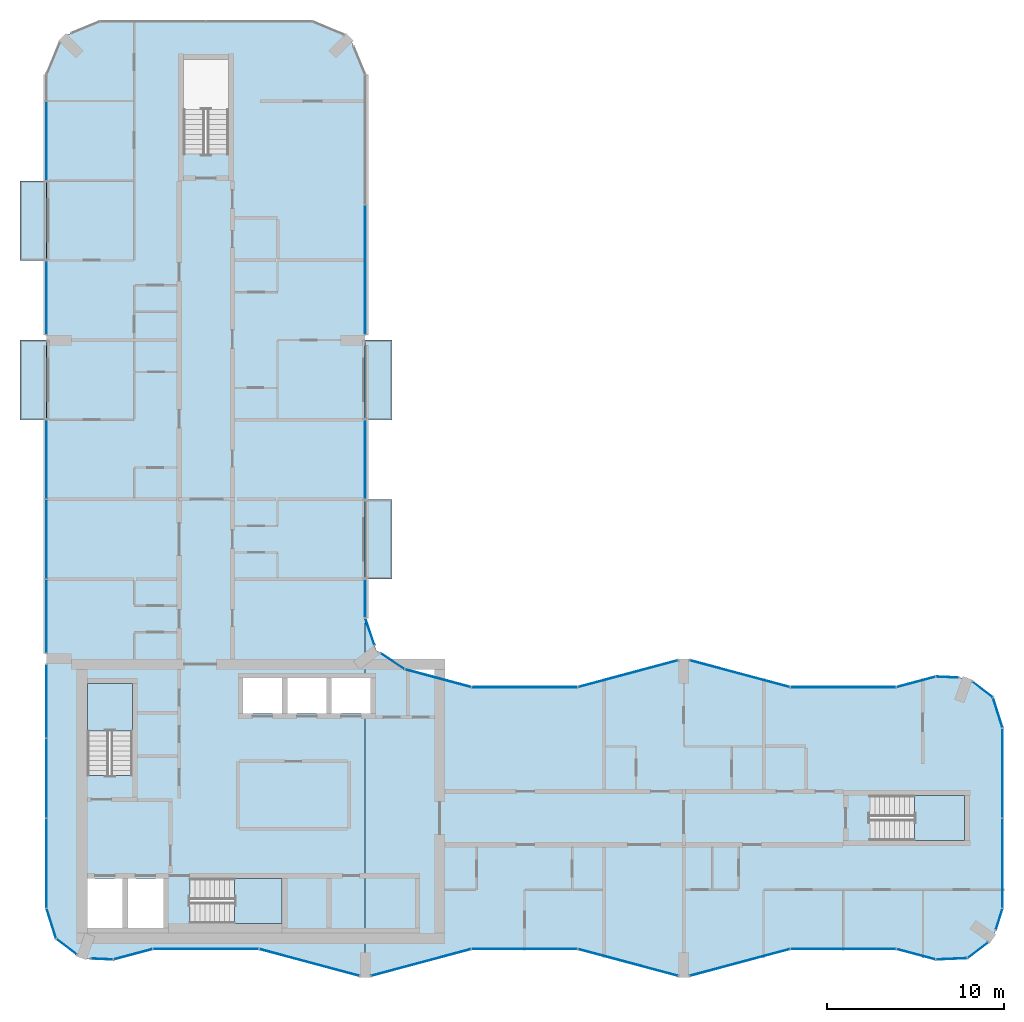
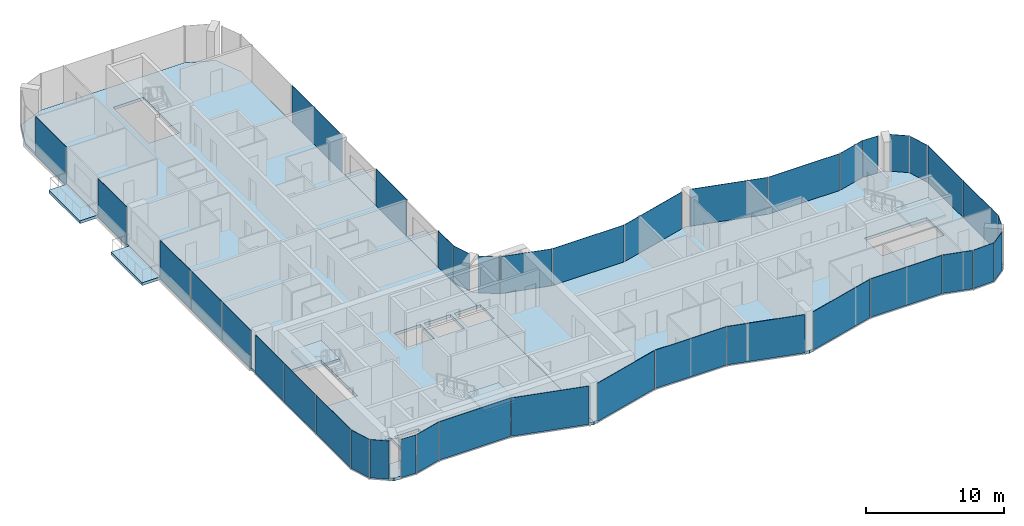
# One storey, part 8 of 15: 39 plates, 9 slabs, 37 elements without a shape of their own.
"""IFC4 building model written with IfcOpenShell, lengths in metres."""

from ifc_helpers import new_model, si_unit, direction, frame, origin, origin_2d, place, context, subcontext, project, spatial, polyline, rectangle, outline, extrude, material, layer, layer_set, type_object, element, aggregate, save


model = new_model("IFC4")

# Units and contexts
model_context = context("Model", 3, precision=1e-05, world=origin(), true_north=direction((0.0, 1.0)))
body_context = subcontext(model_context, "Body", "Model", "MODEL_VIEW")
ifc_project = project(units=[si_unit("LENGTHUNIT", "METRE"), si_unit("AREAUNIT", "SQUARE_METRE"), si_unit("VOLUMEUNIT", "CUBIC_METRE"), si_unit("PLANEANGLEUNIT", "RADIAN"), si_unit("MASSUNIT", "GRAM", prefix="KILO")], contexts=[model_context])

# Site, building, storey
site_placement = place(None, origin())
site = spatial("IfcSite", under=ifc_project, at=site_placement, CompositionType="ELEMENT")
building_placement = place(site_placement, origin())
building = spatial("IfcBuilding", under=site, at=building_placement, Name="Plateau Cross Towers", CompositionType="ELEMENT")
storey_placement = place(building_placement, frame((0.0, 0.0, 156.89990234375)))
storey = spatial("IfcBuildingStorey", under=building, at=storey_placement, Name="L40", CompositionType="ELEMENT", Elevation=156.89990234375)

# Slabs
ifc_material_1 = material(Name="Concrete C40/50", Category="concrete")
ifc_layer_1 = layer(ifc_material_1, 0.25)
ifc_layer_set_1 = layer_set([ifc_layer_1], Name="Concrete C40/50")
slab_type_1 = type_object("IfcSlabType", Name="Balcony slab 250", PredefinedType="FLOOR", material=ifc_layer_set_1)
slab_1_placement = place(storey_placement, frame((0.0, 0.0, -0.25)))
element("IfcSlab", 1, at=slab_1_placement, inside=storey, type_object=slab_type_1, Name="Balcony slab A-BAL-L40-01", PredefinedType="FLOOR", context=body_context, shape_type="SweptSolid", body=[
    extrude(outline(polyline([(0.0, 31.5), (0.0, 36.0), (-1.5, 36.0), (-1.5, 31.5), (0.0, 31.5)])), origin(), (0.0, 0.0, 1.0), 0.25),
])
slab_2_placement = place(storey_placement, frame((0.0, 0.0, -0.25)))
element("IfcSlab", 2, at=slab_2_placement, inside=storey, type_object=slab_type_1, Name="Balcony slab A-BAL-L40-02", PredefinedType="FLOOR", context=body_context, shape_type="SweptSolid", body=[
    extrude(outline(polyline([(0.0, 40.5), (0.0, 45.0), (-1.5, 45.0), (-1.5, 40.5), (0.0, 40.5)])), origin(), (0.0, 0.0, 1.0), 0.25),
])
slab_3_placement = place(storey_placement, frame((0.0, 0.0, -0.25)))
element("IfcSlab", 3, at=slab_3_placement, inside=storey, type_object=slab_type_1, Name="Balcony slab A-BAL-L40-03", PredefinedType="FLOOR", context=body_context, shape_type="SweptSolid", body=[
    extrude(outline(polyline([(19.5, 22.5), (19.5, 27.0), (18.0, 27.0), (18.0, 22.5), (19.5, 22.5)])), origin(), (0.0, 0.0, 1.0), 0.25),
])
slab_4_placement = place(storey_placement, frame((0.0, 0.0, -0.25)))
element("IfcSlab", 4, at=slab_4_placement, inside=storey, type_object=slab_type_1, Name="Balcony slab A-BAL-L40-04", PredefinedType="FLOOR", context=body_context, shape_type="SweptSolid", body=[
    extrude(outline(polyline([(19.5, 31.5), (19.5, 36.0), (18.0, 36.0), (18.0, 31.5), (19.5, 31.5)])), origin(), (0.0, 0.0, 1.0), 0.25),
])

# Curtain wall, plate
ifc_material_2 = material(Name="Dark low-iron glass", Category="glass")
ifc_layer_2 = layer(ifc_material_2, 0.239990234375)
ifc_layer_set_2 = layer_set([ifc_layer_2], Name="Dark low-iron glass")
curtain_wall_type_1 = type_object("IfcCurtainWallType", Name="Curtain wall flush unitised CW-B", PredefinedType="NOTDEFINED", material=ifc_layer_set_2)
curtain_wall_1_placement = place(storey_placement, origin())
curtain_wall_1 = element("IfcCurtainWall", 5, at=curtain_wall_1_placement, inside=storey, type_object=curtain_wall_type_1, Name="ENV/A/L40/A502_10", PredefinedType="NOTDEFINED")
ifc_layer_3 = layer(ifc_material_2, 0.031982421875)
ifc_layer_set_3 = layer_set([ifc_layer_3], Name="Dark low-iron glass")
plate_type_1 = type_object("IfcPlateType", Name="Glass panel 32 flush unitised", PredefinedType="CURTAIN_PANEL", material=ifc_layer_set_3)
plate_1_placement = place(storey_placement, frame((51.125, 1.05078125, -0.1298828125), z_axis=(0.0, 0.0, 1.0), x_axis=(0.999043701491, 0.043722791671, 0.0)))
plate_1 = element("IfcPlate", 6, at=plate_1_placement, type_object=plate_type_1, Name="CW-B panel 1", PredefinedType="CURTAIN_PANEL", context=body_context, shape_type="SweptSolid", body=[
    extrude(rectangle(XDim=1.744140625, YDim=0.031982421875, at=origin_2d()), origin(), (0.0, 0.0, 1.0), 3.3798828125),
])
aggregate(curtain_wall_1, [plate_1])

curtain_wall_2_placement = place(storey_placement, origin())
curtain_wall_2 = element("IfcCurtainWall", 7, at=curtain_wall_2_placement, inside=storey, type_object=curtain_wall_type_1, Name="ENV/A/L40/A520_11", PredefinedType="NOTDEFINED")
plate_2_placement = place(storey_placement, frame((52.60986328125, 1.5380859375, -0.1298828125), z_axis=(0.0, 0.0, 1.0), x_axis=(0.793315514529, 0.608810721331, 0.0)))
plate_2 = element("IfcPlate", 8, at=plate_2_placement, type_object=plate_type_1, Name="CW-B panel 1", PredefinedType="CURTAIN_PANEL", context=body_context, shape_type="SweptSolid", body=[
    extrude(rectangle(XDim=1.41162109375, YDim=0.031982421875, at=origin_2d()), origin(), (0.0, 0.0, 1.0), 3.3798828125),
])
aggregate(curtain_wall_2, [plate_2])

curtain_wall_3_placement = place(storey_placement, origin())
curtain_wall_3 = element("IfcCurtainWall", 9, at=curtain_wall_3_placement, inside=storey, type_object=curtain_wall_type_1, Name="ENV/A/L40/A536_27", PredefinedType="NOTDEFINED")
plate_3_placement = place(storey_placement, frame((53.805419921875, 3.292236328125, -0.1298828125), z_axis=(0.0, 0.0, 1.0), x_axis=(0.300686174994, 0.95372313811, 0.0)))
plate_3 = element("IfcPlate", 10, at=plate_3_placement, type_object=plate_type_1, Name="CW-B panel 1", PredefinedType="CURTAIN_PANEL", context=body_context, shape_type="SweptSolid", body=[
    extrude(rectangle(XDim=1.233642578125, YDim=0.031982421875, at=origin_2d()), origin(), (0.0, 0.0, 1.0), 3.3798828125),
])
aggregate(curtain_wall_3, [plate_3])

# Curtain wall, plates
curtain_wall_4_placement = place(storey_placement, origin())
curtain_wall_4 = element("IfcCurtainWall", 11, at=curtain_wall_4_placement, inside=storey, type_object=curtain_wall_type_1, Name="ENV/A/L40/A540_39", PredefinedType="NOTDEFINED")
plate_4_placement = place(storey_placement, frame((54.0, 6.45458984375, -0.1298828125), z_axis=(0.0, 0.0, 1.0), x_axis=(0.0, 1.0, 0.0)))
plate_4 = element("IfcPlate", 12, at=plate_4_placement, type_object=plate_type_1, Name="CW-B panel 1", PredefinedType="CURTAIN_PANEL", context=body_context, shape_type="SweptSolid", body=[
    extrude(rectangle(XDim=5.03076171875, YDim=0.031982421875, at=origin_2d()), origin(), (0.0, 0.0, 1.0), 3.3798828125),
])
plate_5_placement = place(storey_placement, frame((54.0, 11.54541015625, -0.1298828125), z_axis=(0.0, 0.0, 1.0), x_axis=(0.0, 1.0, 0.0)))
plate_5 = element("IfcPlate", 13, at=plate_5_placement, type_object=plate_type_1, Name="CW-B panel 2", PredefinedType="CURTAIN_PANEL", context=body_context, shape_type="SweptSolid", body=[
    extrude(rectangle(XDim=5.03076171875, YDim=0.031982421875, at=origin_2d()), origin(), (0.0, 0.0, 1.0), 3.3798828125),
])
aggregate(curtain_wall_4, [plate_4, plate_5])

# Curtain wall, plate
curtain_wall_5_placement = place(storey_placement, origin())
curtain_wall_5 = element("IfcCurtainWall", 14, at=curtain_wall_5_placement, inside=storey, type_object=curtain_wall_type_1, Name="ENV/A/L40/A540_141", PredefinedType="NOTDEFINED")
plate_6_placement = place(storey_placement, frame((53.728759765625, 14.951171875, -0.1298828125), z_axis=(0.0, 0.0, 1.0), x_axis=(-0.300686174994, 0.95372313811, 0.0)))
plate_6 = element("IfcPlate", 15, at=plate_6_placement, type_object=plate_type_1, Name="CW-B panel 1", PredefinedType="CURTAIN_PANEL", context=body_context, shape_type="SweptSolid", body=[
    extrude(rectangle(XDim=1.744140625, YDim=0.031982421875, at=origin_2d()), origin(), (0.0, 0.0, 1.0), 3.3798828125),
])
aggregate(curtain_wall_5, [plate_6])

curtain_wall_6_placement = place(storey_placement, origin())
curtain_wall_6 = element("IfcCurtainWall", 16, at=curtain_wall_6_placement, inside=storey, type_object=curtain_wall_type_1, Name="ENV/A/L40/A535_158", PredefinedType="NOTDEFINED")
plate_7_placement = place(storey_placement, frame((52.873779296875, 16.25927734375, -0.1298828125), z_axis=(0.0, 0.0, 1.0), x_axis=(-0.793315514529, 0.608810721331, 0.0)))
plate_7 = element("IfcPlate", 17, at=plate_7_placement, type_object=plate_type_1, Name="CW-B panel 1", PredefinedType="CURTAIN_PANEL", context=body_context, shape_type="SweptSolid", body=[
    extrude(rectangle(XDim=1.41162109375, YDim=0.031982421875, at=origin_2d()), origin(), (0.0, 0.0, 1.0), 3.3798828125),
])
aggregate(curtain_wall_6, [plate_7])

curtain_wall_7_placement = place(storey_placement, origin())
curtain_wall_7 = element("IfcCurtainWall", 18, at=curtain_wall_7_placement, inside=storey, type_object=curtain_wall_type_1, Name="ENV/A/L40/A515_169", PredefinedType="NOTDEFINED")
plate_8_placement = place(storey_placement, frame((50.8701171875, 16.96044921875, -0.1298828125), z_axis=(0.0, 0.0, 1.0), x_axis=(-0.999043701491, 0.043722791671, 0.0)))
plate_8 = element("IfcPlate", 19, at=plate_8_placement, type_object=plate_type_1, Name="CW-B panel 1", PredefinedType="CURTAIN_PANEL", context=body_context, shape_type="SweptSolid", body=[
    extrude(rectangle(XDim=1.233642578125, YDim=0.031982421875, at=origin_2d()), origin(), (0.0, 0.0, 1.0), 3.3798828125),
])
aggregate(curtain_wall_7, [plate_8])

curtain_wall_8_placement = place(storey_placement, origin())
curtain_wall_8 = element("IfcCurtainWall", 20, at=curtain_wall_8_placement, inside=storey, type_object=curtain_wall_type_1, Name="ENV/A/L40/A202_174", PredefinedType="NOTDEFINED")
plate_9_placement = place(storey_placement, frame((19.546630859375, 17.856689453125, -0.1298828125), z_axis=(0.0, 0.0, 1.0), x_axis=(-0.831521253329, 0.555492938984, 0.0)))
plate_9 = element("IfcPlate", 21, at=plate_9_placement, type_object=plate_type_1, Name="CW-B panel 1", PredefinedType="CURTAIN_PANEL", context=body_context, shape_type="SweptSolid", body=[
    extrude(rectangle(XDim=1.56884765625, YDim=0.031982421875, at=origin_2d()), origin(), (0.0, 0.0, 1.0), 3.3798828125),
])
aggregate(curtain_wall_8, [plate_9])

curtain_wall_9_placement = place(storey_placement, origin())
curtain_wall_9 = element("IfcCurtainWall", 22, at=curtain_wall_9_placement, inside=storey, type_object=curtain_wall_type_1, Name="ENV/A/L40/A185_188", PredefinedType="NOTDEFINED")
plate_10_placement = place(storey_placement, frame((18.26171875, 19.531005859375, -0.1298828125), z_axis=(0.0, 0.0, 1.0), x_axis=(-0.321469161574, 0.94692004845, 0.0)))
plate_10 = element("IfcPlate", 23, at=plate_10_placement, type_object=plate_type_1, Name="CW-B panel 1", PredefinedType="CURTAIN_PANEL", context=body_context, shape_type="SweptSolid", body=[
    extrude(rectangle(XDim=1.56884765625, YDim=0.031982421875, at=origin_2d()), origin(), (0.0, 0.0, 1.0), 3.3798828125),
])
aggregate(curtain_wall_9, [plate_10])

curtain_wall_10_placement = place(storey_placement, origin())
curtain_wall_10 = element("IfcCurtainWall", 24, at=curtain_wall_10_placement, inside=storey, type_object=curtain_wall_type_1, Name="ENV/A/L40/A180_203", PredefinedType="NOTDEFINED")
plate_11_placement = place(storey_placement, frame((18.0, 21.396240234375, -0.1298828125), z_axis=(0.0, 0.0, 1.0), x_axis=(0.0, 1.0, 0.0)))
plate_11 = element("IfcPlate", 25, at=plate_11_placement, type_object=plate_type_1, Name="CW-B panel 1", PredefinedType="CURTAIN_PANEL", context=body_context, shape_type="SweptSolid", body=[
    extrude(rectangle(XDim=2.127685546875, YDim=0.031982421875, at=origin_2d()), origin(), (0.0, 0.0, 1.0), 3.3798828125),
])
aggregate(curtain_wall_10, [plate_11])

curtain_wall_11_placement = place(storey_placement, origin())
curtain_wall_11 = element("IfcCurtainWall", 26, at=curtain_wall_11_placement, inside=storey, type_object=curtain_wall_type_1, Name="ENV/A/L40/A180_270", PredefinedType="NOTDEFINED")
plate_12_placement = place(storey_placement, frame((18.0, 29.25, -0.1298828125), z_axis=(0.0, 0.0, 1.0), x_axis=(0.0, 1.0, 0.0)))
plate_12 = element("IfcPlate", 27, at=plate_12_placement, type_object=plate_type_1, Name="CW-B panel 1", PredefinedType="CURTAIN_PANEL", context=body_context, shape_type="SweptSolid", body=[
    extrude(rectangle(XDim=4.419921875, YDim=0.031982421875, at=origin_2d()), origin(), (0.0, 0.0, 1.0), 3.3798828125),
])
aggregate(curtain_wall_11, [plate_12])

curtain_wall_12_placement = place(storey_placement, origin())
curtain_wall_12 = element("IfcCurtainWall", 28, at=curtain_wall_12_placement, inside=storey, type_object=curtain_wall_type_1, Name="ENV/A/L40/A180_363", PredefinedType="NOTDEFINED")
plate_13_placement = place(storey_placement, frame((18.0, 39.97509765625, -0.1298828125), z_axis=(0.0, 0.0, 1.0), x_axis=(0.0, 1.0, 0.0)))
plate_13 = element("IfcPlate", 29, at=plate_13_placement, type_object=plate_type_1, Name="CW-B panel 1", PredefinedType="CURTAIN_PANEL", context=body_context, shape_type="SweptSolid", body=[
    extrude(rectangle(XDim=7.2900390625, YDim=0.031982421875, at=origin_2d()), origin(), (0.0, 0.0, 1.0), 3.3798828125),
])
aggregate(curtain_wall_12, [plate_13])

curtain_wall_13_placement = place(storey_placement, origin())
curtain_wall_13 = element("IfcCurtainWall", 30, at=curtain_wall_13_placement, inside=storey, type_object=curtain_wall_type_1, Name="ENV/A/L40/A0_510", PredefinedType="NOTDEFINED")
plate_14_placement = place(storey_placement, frame((0.0, 47.2548828125, -0.1298828125), z_axis=(0.0, 0.0, 1.0), x_axis=(0.0, -1.0, 0.0)))
plate_14 = element("IfcPlate", 31, at=plate_14_placement, type_object=plate_type_1, Name="CW-B panel 2", PredefinedType="CURTAIN_PANEL", context=body_context, shape_type="SweptSolid", body=[
    extrude(rectangle(XDim=4.429931640625, YDim=0.031982421875, at=origin_2d()), origin(), (0.0, 0.0, 1.0), 3.3798828125),
])
aggregate(curtain_wall_13, [plate_14])

curtain_wall_14_placement = place(storey_placement, origin())
curtain_wall_14 = element("IfcCurtainWall", 32, at=curtain_wall_14_placement, inside=storey, type_object=curtain_wall_type_1, Name="ENV/A/L40/A0_405", PredefinedType="NOTDEFINED")
plate_15_placement = place(storey_placement, frame((0.0, 38.39501953125, -0.1298828125), z_axis=(0.0, 0.0, 1.0), x_axis=(0.0, -1.0, 0.0)))
plate_15 = element("IfcPlate", 33, at=plate_15_placement, type_object=plate_type_1, Name="CW-B panel 1", PredefinedType="CURTAIN_PANEL", context=body_context, shape_type="SweptSolid", body=[
    extrude(rectangle(XDim=4.1298828125, YDim=0.031982421875, at=origin_2d()), origin(), (0.0, 0.0, 1.0), 3.3798828125),
])
aggregate(curtain_wall_14, [plate_15])

# Curtain wall, plates
curtain_wall_15_placement = place(storey_placement, origin())
curtain_wall_15 = element("IfcCurtainWall", 34, at=curtain_wall_15_placement, inside=storey, type_object=curtain_wall_type_1, Name="ENV/A/L40/A0_315", PredefinedType="NOTDEFINED")
plate_16_placement = place(storey_placement, frame((0.0, 29.2451171875, -0.1298828125), z_axis=(0.0, 0.0, 1.0), x_axis=(0.0, -1.0, 0.0)))
plate_16 = element("IfcPlate", 35, at=plate_16_placement, type_object=plate_type_1, Name="CW-B panel 1", PredefinedType="CURTAIN_PANEL", context=body_context, shape_type="SweptSolid", body=[
    extrude(rectangle(XDim=4.429931640625, YDim=0.031982421875, at=origin_2d()), origin(), (0.0, 0.0, 1.0), 3.3798828125),
])
plate_17_placement = place(storey_placement, frame((0.0, 24.75, -0.1298828125), z_axis=(0.0, 0.0, 1.0), x_axis=(0.0, -1.0, 0.0)))
plate_17 = element("IfcPlate", 36, at=plate_17_placement, type_object=plate_type_1, Name="CW-B panel 2", PredefinedType="CURTAIN_PANEL", context=body_context, shape_type="SweptSolid", body=[
    extrude(rectangle(XDim=4.43994140625, YDim=0.031982421875, at=origin_2d()), origin(), (0.0, 0.0, 1.0), 3.3798828125),
])
plate_18_placement = place(storey_placement, frame((0.0, 20.39990234375, -0.1298828125), z_axis=(0.0, 0.0, 1.0), x_axis=(0.0, -1.0, 0.0)))
plate_18 = element("IfcPlate", 37, at=plate_18_placement, type_object=plate_type_1, Name="CW-B panel 3", PredefinedType="CURTAIN_PANEL", context=body_context, shape_type="SweptSolid", body=[
    extrude(rectangle(XDim=4.139892578125, YDim=0.031982421875, at=origin_2d()), origin(), (0.0, 0.0, 1.0), 3.3798828125),
])
aggregate(curtain_wall_15, [plate_16, plate_17, plate_18])

curtain_wall_16_placement = place(storey_placement, origin())
curtain_wall_16 = element("IfcCurtainWall", 38, at=curtain_wall_16_placement, inside=storey, type_object=curtain_wall_type_1, Name="ENV/A/L40/A0_177", PredefinedType="NOTDEFINED")
plate_19_placement = place(storey_placement, frame((0.0, 15.60009765625, -0.1298828125), z_axis=(0.0, 0.0, 1.0), x_axis=(0.0, -1.0, 0.0)))
plate_19 = element("IfcPlate", 39, at=plate_19_placement, type_object=plate_type_1, Name="CW-B panel 1", PredefinedType="CURTAIN_PANEL", context=body_context, shape_type="SweptSolid", body=[
    extrude(rectangle(XDim=4.139892578125, YDim=0.031982421875, at=origin_2d()), origin(), (0.0, 0.0, 1.0), 3.3798828125),
])
plate_20_placement = place(storey_placement, frame((0.0, 11.25, -0.1298828125), z_axis=(0.0, 0.0, 1.0), x_axis=(0.0, -1.0, 0.0)))
plate_20 = element("IfcPlate", 40, at=plate_20_placement, type_object=plate_type_1, Name="CW-B panel 2", PredefinedType="CURTAIN_PANEL", context=body_context, shape_type="SweptSolid", body=[
    extrude(rectangle(XDim=4.43994140625, YDim=0.031982421875, at=origin_2d()), origin(), (0.0, 0.0, 1.0), 3.3798828125),
])
plate_21_placement = place(storey_placement, frame((0.0, 6.45458984375, -0.1298828125), z_axis=(0.0, 0.0, 1.0), x_axis=(0.0, -1.0, 0.0)))
plate_21 = element("IfcPlate", 41, at=plate_21_placement, type_object=plate_type_1, Name="CW-B panel 3", PredefinedType="CURTAIN_PANEL", context=body_context, shape_type="SweptSolid", body=[
    extrude(rectangle(XDim=5.03076171875, YDim=0.031982421875, at=origin_2d()), origin(), (0.0, 0.0, 1.0), 3.3798828125),
])
aggregate(curtain_wall_16, [plate_19, plate_20, plate_21])

# Curtain wall, plate
curtain_wall_17_placement = place(storey_placement, origin())
curtain_wall_17 = element("IfcCurtainWall", 42, at=curtain_wall_17_placement, inside=storey, type_object=curtain_wall_type_1, Name="ENV/A/L40/A0_39", PredefinedType="NOTDEFINED")
plate_22_placement = place(storey_placement, frame((0.271240234375, 3.048828125, -0.1298828125), z_axis=(0.0, 0.0, 1.0), x_axis=(0.300686174994, -0.95372313811, 0.0)))
plate_22 = element("IfcPlate", 43, at=plate_22_placement, type_object=plate_type_1, Name="CW-B panel 1", PredefinedType="CURTAIN_PANEL", context=body_context, shape_type="SweptSolid", body=[
    extrude(rectangle(XDim=1.744140625, YDim=0.031982421875, at=origin_2d()), origin(), (0.0, 0.0, 1.0), 3.3798828125),
])
aggregate(curtain_wall_17, [plate_22])

curtain_wall_18_placement = place(storey_placement, origin())
curtain_wall_18 = element("IfcCurtainWall", 44, at=curtain_wall_18_placement, inside=storey, type_object=curtain_wall_type_1, Name="ENV/A/L40/A5_22", PredefinedType="NOTDEFINED")
plate_23_placement = place(storey_placement, frame((1.126220703125, 1.74072265625, -0.1298828125), z_axis=(0.0, 0.0, 1.0), x_axis=(0.793315514529, -0.608810721331, 0.0)))
plate_23 = element("IfcPlate", 45, at=plate_23_placement, type_object=plate_type_1, Name="CW-B panel 1", PredefinedType="CURTAIN_PANEL", context=body_context, shape_type="SweptSolid", body=[
    extrude(rectangle(XDim=1.41162109375, YDim=0.031982421875, at=origin_2d()), origin(), (0.0, 0.0, 1.0), 3.3798828125),
])
aggregate(curtain_wall_18, [plate_23])

curtain_wall_19_placement = place(storey_placement, origin())
curtain_wall_19 = element("IfcCurtainWall", 46, at=curtain_wall_19_placement, inside=storey, type_object=curtain_wall_type_1, Name="ENV/A/L40/A25_11", PredefinedType="NOTDEFINED")
plate_24_placement = place(storey_placement, frame((3.1298828125, 1.03955078125, -0.1298828125), z_axis=(0.0, 0.0, 1.0), x_axis=(0.999043701491, -0.043722791671, 0.0)))
plate_24 = element("IfcPlate", 47, at=plate_24_placement, type_object=plate_type_1, Name="CW-B panel 1", PredefinedType="CURTAIN_PANEL", context=body_context, shape_type="SweptSolid", body=[
    extrude(rectangle(XDim=1.233642578125, YDim=0.031982421875, at=origin_2d()), origin(), (0.0, 0.0, 1.0), 3.3798828125),
])
aggregate(curtain_wall_19, [plate_24])

ifc_layer_4 = layer(ifc_material_2, 0.260009765625)
ifc_layer_set_4 = layer_set([ifc_layer_4], Name="Dark low-iron glass")
curtain_wall_type_2 = type_object("IfcCurtainWallType", Name="Curtain wall fluted unitised CW-A", PredefinedType="NOTDEFINED", material=ifc_layer_set_4)
curtain_wall_20_placement = place(storey_placement, origin())
curtain_wall_20 = element("IfcCurtainWall", 48, at=curtain_wall_20_placement, inside=storey, type_object=curtain_wall_type_2, Name="ENV/A/L40/A38_10", PredefinedType="NOTDEFINED")
ifc_layer_5 = layer(ifc_material_2, 0.035888671875)
ifc_layer_set_5 = layer_set([ifc_layer_5], Name="Dark low-iron glass")
plate_type_2 = type_object("IfcPlateType", Name="Glass panel 36 fluted unitised", PredefinedType="CURTAIN_PANEL", material=ifc_layer_set_5)
plate_25_placement = place(storey_placement, frame((4.887939453125, 1.30908203125, -0.1298828125), z_axis=(0.0, 0.0, 1.0), x_axis=(0.965957962328, 0.258699081978, 0.0)))
plate_25 = element("IfcPlate", 49, at=plate_25_placement, type_object=plate_type_2, Name="CW-A panel 1", PredefinedType="CURTAIN_PANEL", context=body_context, shape_type="SweptSolid", body=[
    extrude(rectangle(XDim=2.2421875, YDim=0.035888671875, at=origin_2d()), origin(), (0.0, 0.0, 1.0), 3.3798828125),
])
aggregate(curtain_wall_20, [plate_25])

curtain_wall_21_placement = place(storey_placement, origin())
curtain_wall_21 = element("IfcCurtainWall", 50, at=curtain_wall_21_placement, inside=storey, type_object=curtain_wall_type_2, Name="ENV/A/L40/A60_16", PredefinedType="NOTDEFINED")
plate_26_placement = place(storey_placement, frame((9.0, 1.60693359375, -0.1298828125), z_axis=(0.0, 0.0, 1.0), x_axis=(1.0, 0.0, 0.0)))
plate_26 = element("IfcPlate", 51, at=plate_26_placement, type_object=plate_type_2, Name="CW-A panel 1", PredefinedType="CURTAIN_PANEL", context=body_context, shape_type="SweptSolid", body=[
    extrude(rectangle(XDim=5.93994140625, YDim=0.035888671875, at=origin_2d()), origin(), (0.0, 0.0, 1.0), 3.3798828125),
])
aggregate(curtain_wall_21, [plate_26])

curtain_wall_22_placement = place(storey_placement, origin())
curtain_wall_22 = element("IfcCurtainWall", 52, at=curtain_wall_22_placement, inside=storey, type_object=curtain_wall_type_2, Name="ENV/A/L40/A120_16", PredefinedType="NOTDEFINED")
plate_27_placement = place(storey_placement, frame((14.841064453125, 0.845947265625, -0.1298828125), z_axis=(0.0, 0.0, 1.0), x_axis=(0.965957983404, -0.258699003279, 0.0)))
plate_27 = element("IfcPlate", 53, at=plate_27_placement, type_object=plate_type_2, Name="CW-A panel 1", PredefinedType="CURTAIN_PANEL", context=body_context, shape_type="SweptSolid", body=[
    extrude(rectangle(XDim=5.822265625, YDim=0.035888671875, at=origin_2d()), origin(), (0.0, 0.0, 1.0), 3.3798828125),
])
aggregate(curtain_wall_22, [plate_27])

curtain_wall_23_placement = place(storey_placement, origin())
curtain_wall_23 = element("IfcCurtainWall", 54, at=curtain_wall_23_placement, inside=storey, type_object=curtain_wall_type_2, Name="ENV/A/L40/A183_1", PredefinedType="NOTDEFINED")
plate_28_placement = place(storey_placement, frame((21.158935546875, 0.845947265625, -0.1298828125), z_axis=(0.0, 0.0, 1.0), x_axis=(0.965957983404, 0.258699003279, 0.0)))
plate_28 = element("IfcPlate", 55, at=plate_28_placement, type_object=plate_type_2, Name="CW-A panel 1", PredefinedType="CURTAIN_PANEL", context=body_context, shape_type="SweptSolid", body=[
    extrude(rectangle(XDim=5.822265625, YDim=0.035888671875, at=origin_2d()), origin(), (0.0, 0.0, 1.0), 3.3798828125),
])
aggregate(curtain_wall_23, [plate_28])

curtain_wall_24_placement = place(storey_placement, origin())
curtain_wall_24 = element("IfcCurtainWall", 56, at=curtain_wall_24_placement, inside=storey, type_object=curtain_wall_type_2, Name="ENV/A/L40/A240_16", PredefinedType="NOTDEFINED")
plate_29_placement = place(storey_placement, frame((27.0, 1.60693359375, -0.1298828125), z_axis=(0.0, 0.0, 1.0), x_axis=(1.0, 0.0, 0.0)))
plate_29 = element("IfcPlate", 57, at=plate_29_placement, type_object=plate_type_2, Name="CW-A panel 1", PredefinedType="CURTAIN_PANEL", context=body_context, shape_type="SweptSolid", body=[
    extrude(rectangle(XDim=5.93994140625, YDim=0.035888671875, at=origin_2d()), origin(), (0.0, 0.0, 1.0), 3.3798828125),
])
aggregate(curtain_wall_24, [plate_29])

curtain_wall_25_placement = place(storey_placement, origin())
curtain_wall_25 = element("IfcCurtainWall", 58, at=curtain_wall_25_placement, inside=storey, type_object=curtain_wall_type_2, Name="ENV/A/L40/A300_16", PredefinedType="NOTDEFINED")
plate_30_placement = place(storey_placement, frame((32.841064453125, 0.845947265625, -0.1298828125), z_axis=(0.0, 0.0, 1.0), x_axis=(0.965957983404, -0.258699003279, 0.0)))
plate_30 = element("IfcPlate", 59, at=plate_30_placement, type_object=plate_type_2, Name="CW-A panel 1", PredefinedType="CURTAIN_PANEL", context=body_context, shape_type="SweptSolid", body=[
    extrude(rectangle(XDim=5.822265625, YDim=0.035888671875, at=origin_2d()), origin(), (0.0, 0.0, 1.0), 3.3798828125),
])
aggregate(curtain_wall_25, [plate_30])

curtain_wall_26_placement = place(storey_placement, origin())
curtain_wall_26 = element("IfcCurtainWall", 60, at=curtain_wall_26_placement, inside=storey, type_object=curtain_wall_type_2, Name="ENV/A/L40/A363_1", PredefinedType="NOTDEFINED")
plate_31_placement = place(storey_placement, frame((39.158935546875, 0.845947265625, -0.1298828125), z_axis=(0.0, 0.0, 1.0), x_axis=(0.965957983404, 0.258699003279, 0.0)))
plate_31 = element("IfcPlate", 61, at=plate_31_placement, type_object=plate_type_2, Name="CW-A panel 1", PredefinedType="CURTAIN_PANEL", context=body_context, shape_type="SweptSolid", body=[
    extrude(rectangle(XDim=5.822265625, YDim=0.035888671875, at=origin_2d()), origin(), (0.0, 0.0, 1.0), 3.3798828125),
])
aggregate(curtain_wall_26, [plate_31])

curtain_wall_27_placement = place(storey_placement, origin())
curtain_wall_27 = element("IfcCurtainWall", 62, at=curtain_wall_27_placement, inside=storey, type_object=curtain_wall_type_2, Name="ENV/A/L40/A420_16", PredefinedType="NOTDEFINED")
plate_32_placement = place(storey_placement, frame((45.0, 1.60693359375, -0.1298828125), z_axis=(0.0, 0.0, 1.0), x_axis=(1.0, 0.0, 0.0)))
plate_32 = element("IfcPlate", 63, at=plate_32_placement, type_object=plate_type_2, Name="CW-A panel 1", PredefinedType="CURTAIN_PANEL", context=body_context, shape_type="SweptSolid", body=[
    extrude(rectangle(XDim=5.93994140625, YDim=0.035888671875, at=origin_2d()), origin(), (0.0, 0.0, 1.0), 3.3798828125),
])
aggregate(curtain_wall_27, [plate_32])

curtain_wall_28_placement = place(storey_placement, origin())
curtain_wall_28 = element("IfcCurtainWall", 64, at=curtain_wall_28_placement, inside=storey, type_object=curtain_wall_type_2, Name="ENV/A/L40/A480_16", PredefinedType="NOTDEFINED")
plate_33_placement = place(storey_placement, frame((49.112060546875, 1.30908203125, -0.1298828125), z_axis=(0.0, 0.0, 1.0), x_axis=(0.965957962328, -0.258699081978, 0.0)))
plate_33 = element("IfcPlate", 65, at=plate_33_placement, type_object=plate_type_2, Name="CW-A panel 1", PredefinedType="CURTAIN_PANEL", context=body_context, shape_type="SweptSolid", body=[
    extrude(rectangle(XDim=2.2421875, YDim=0.035888671875, at=origin_2d()), origin(), (0.0, 0.0, 1.0), 3.3798828125),
])
aggregate(curtain_wall_28, [plate_33])

curtain_wall_29_placement = place(storey_placement, origin())
curtain_wall_29 = element("IfcCurtainWall", 66, at=curtain_wall_29_placement, inside=storey, type_object=curtain_wall_type_2, Name="ENV/A/L40/A502_170", PredefinedType="NOTDEFINED")
plate_34_placement = place(storey_placement, frame((49.112060546875, 16.69091796875, -0.1298828125), z_axis=(0.0, 0.0, 1.0), x_axis=(-0.965957962328, -0.258699081978, 0.0)))
plate_34 = element("IfcPlate", 67, at=plate_34_placement, type_object=plate_type_2, Name="CW-A panel 1", PredefinedType="CURTAIN_PANEL", context=body_context, shape_type="SweptSolid", body=[
    extrude(rectangle(XDim=2.2421875, YDim=0.035888671875, at=origin_2d()), origin(), (0.0, 0.0, 1.0), 3.3798828125),
])
aggregate(curtain_wall_29, [plate_34])

curtain_wall_30_placement = place(storey_placement, origin())
curtain_wall_30 = element("IfcCurtainWall", 68, at=curtain_wall_30_placement, inside=storey, type_object=curtain_wall_type_2, Name="ENV/A/L40/A480_164", PredefinedType="NOTDEFINED")
plate_35_placement = place(storey_placement, frame((45.0, 16.39306640625, -0.1298828125), z_axis=(0.0, 0.0, 1.0), x_axis=(-1.0, 0.0, 0.0)))
plate_35 = element("IfcPlate", 69, at=plate_35_placement, type_object=plate_type_2, Name="CW-A panel 1", PredefinedType="CURTAIN_PANEL", context=body_context, shape_type="SweptSolid", body=[
    extrude(rectangle(XDim=5.93994140625, YDim=0.035888671875, at=origin_2d()), origin(), (0.0, 0.0, 1.0), 3.3798828125),
])
aggregate(curtain_wall_30, [plate_35])

curtain_wall_31_placement = place(storey_placement, origin())
curtain_wall_31 = element("IfcCurtainWall", 70, at=curtain_wall_31_placement, inside=storey, type_object=curtain_wall_type_2, Name="ENV/A/L40/A420_164", PredefinedType="NOTDEFINED")
plate_36_placement = place(storey_placement, frame((39.158935546875, 17.154052734375, -0.1298828125), z_axis=(0.0, 0.0, 1.0), x_axis=(-0.965957983404, 0.258699003279, 0.0)))
plate_36 = element("IfcPlate", 71, at=plate_36_placement, type_object=plate_type_2, Name="CW-A panel 1", PredefinedType="CURTAIN_PANEL", context=body_context, shape_type="SweptSolid", body=[
    extrude(rectangle(XDim=5.822265625, YDim=0.035888671875, at=origin_2d()), origin(), (0.0, 0.0, 1.0), 3.3798828125),
])
aggregate(curtain_wall_31, [plate_36])

curtain_wall_32_placement = place(storey_placement, origin())
curtain_wall_32 = element("IfcCurtainWall", 72, at=curtain_wall_32_placement, inside=storey, type_object=curtain_wall_type_2, Name="ENV/A/L40/A357_179", PredefinedType="NOTDEFINED")
plate_37_placement = place(storey_placement, frame((32.841064453125, 17.154052734375, -0.1298828125), z_axis=(0.0, 0.0, 1.0), x_axis=(-0.965957983404, -0.258699003279, 0.0)))
plate_37 = element("IfcPlate", 73, at=plate_37_placement, type_object=plate_type_2, Name="CW-A panel 1", PredefinedType="CURTAIN_PANEL", context=body_context, shape_type="SweptSolid", body=[
    extrude(rectangle(XDim=5.822265625, YDim=0.035888671875, at=origin_2d()), origin(), (0.0, 0.0, 1.0), 3.3798828125),
])
aggregate(curtain_wall_32, [plate_37])

curtain_wall_33_placement = place(storey_placement, origin())
curtain_wall_33 = element("IfcCurtainWall", 74, at=curtain_wall_33_placement, inside=storey, type_object=curtain_wall_type_2, Name="ENV/A/L40/A300_164", PredefinedType="NOTDEFINED")
plate_38_placement = place(storey_placement, frame((27.0, 16.39306640625, -0.1298828125), z_axis=(0.0, 0.0, 1.0), x_axis=(-1.0, 0.0, 0.0)))
plate_38 = element("IfcPlate", 75, at=plate_38_placement, type_object=plate_type_2, Name="CW-A panel 1", PredefinedType="CURTAIN_PANEL", context=body_context, shape_type="SweptSolid", body=[
    extrude(rectangle(XDim=5.93994140625, YDim=0.035888671875, at=origin_2d()), origin(), (0.0, 0.0, 1.0), 3.3798828125),
])
aggregate(curtain_wall_33, [plate_38])

curtain_wall_34_placement = place(storey_placement, origin())
curtain_wall_34 = element("IfcCurtainWall", 76, at=curtain_wall_34_placement, inside=storey, type_object=curtain_wall_type_2, Name="ENV/A/L40/A240_164", PredefinedType="NOTDEFINED")
plate_39_placement = place(storey_placement, frame((22.112060546875, 16.898681640625, -0.1298828125), z_axis=(0.0, 0.0, 1.0), x_axis=(-0.965957995816, 0.258698956933, 0.0)))
plate_39 = element("IfcPlate", 77, at=plate_39_placement, type_object=plate_type_2, Name="CW-A panel 1", PredefinedType="CURTAIN_PANEL", context=body_context, shape_type="SweptSolid", body=[
    extrude(rectangle(XDim=3.84912109375, YDim=0.035888671875, at=origin_2d()), origin(), (0.0, 0.0, 1.0), 3.3798828125),
])
aggregate(curtain_wall_34, [plate_39])

# Slabs
ifc_layer_6 = layer(ifc_material_1, 0.25)
ifc_layer_set_6 = layer_set([ifc_layer_6], Name="Concrete C40/50")
slab_type_2 = type_object("IfcSlabType", Name="Post-tensioned flat plate slab 250", PredefinedType="FLOOR", material=ifc_layer_set_6)
slab_5_placement = place(storey_placement, frame((0.0, 0.0, -0.25)))
element("IfcSlab", 78, at=slab_5_placement, inside=storey, type_object=slab_type_2, Name="SL-A-L40 1", PredefinedType="FLOOR", context=body_context, shape_type="SweptSolid", body=[
    extrude(outline(polyline([(0.54248046875, 2.1884765625), (0.0, 3.9091796875), (0.0, 51.0), (0.878662109375, 53.121337890625), (3.0, 54.0), (15.0, 54.0), (17.121337890625, 53.121337890625), (18.0, 51.0), (18.0, 20.30224609375), (18.0, 16.89990234375), (16.10009765625, 16.89990234375), (16.10009765625, 14.89990234375), (18.0, 14.89990234375), (18.0, 0.0), (12.0, 1.60693359375), (6.0, 1.60693359375), (3.776123046875, 1.01123046875), (1.9736328125, 1.090087890625), (0.54248046875, 2.1884765625)]), holes=[polyline([(2.300048828125, 5.60009765625), (2.300048828125, 2.800048828125), (4.300048828125, 2.800048828125), (4.300048828125, 5.60009765625), (2.300048828125, 5.60009765625)]), polyline([(4.60009765625, 5.60009765625), (4.60009765625, 2.800048828125), (6.60009765625, 2.800048828125), (6.60009765625, 5.60009765625), (4.60009765625, 5.60009765625)]), polyline([(8.10009765625, 5.60009765625), (8.10009765625, 3.050048828125), (13.300048828125, 3.050048828125), (13.300048828125, 5.60009765625), (8.10009765625, 5.60009765625)]), polyline([(2.300048828125, 11.39990234375), (4.85009765625, 11.39990234375), (4.85009765625, 16.60009765625), (2.300048828125, 16.60009765625), (2.300048828125, 11.39990234375)]), polyline([(11.10009765625, 16.89990234375), (11.10009765625, 14.89990234375), (13.300048828125, 14.89990234375), (13.300048828125, 16.89990234375), (11.10009765625, 16.89990234375)]), polyline([(13.60009765625, 16.89990234375), (13.60009765625, 14.89990234375), (15.800048828125, 14.89990234375), (15.800048828125, 16.89990234375), (13.60009765625, 16.89990234375)]), polyline([(7.72509765625, 51.699951171875), (7.72509765625, 46.5), (10.27490234375, 46.5), (10.27490234375, 51.699951171875), (7.72509765625, 51.699951171875)])]), origin(), (0.0, 0.0, 1.0), 0.25),
])
slab_6_placement = place(storey_placement, frame((0.0, 0.0, -0.25)))
element("IfcSlab", 79, at=slab_6_placement, inside=storey, type_object=slab_type_2, Name="SL-A-L40 2", PredefinedType="FLOOR", context=body_context, shape_type="SweptSolid", body=[
    extrude(outline(polyline([(18.6201171875, 18.475830078125), (20.223876953125, 17.404296875), (24.0, 16.39306640625), (30.0, 16.39306640625), (36.0, 18.0), (42.0, 16.39306640625), (48.0, 16.39306640625), (50.223876953125, 16.98876953125), (52.0263671875, 16.909912109375), (53.45751953125, 15.8115234375), (54.0, 14.0908203125), (54.0, 3.9091796875), (53.45751953125, 2.1884765625), (52.0263671875, 1.090087890625), (50.223876953125, 1.01123046875), (48.0, 1.60693359375), (42.0, 1.60693359375), (36.0, 0.0), (30.0, 1.60693359375), (24.0, 1.60693359375), (18.0, 0.0), (18.0, 14.89990234375), (18.300048828125, 14.89990234375), (18.300048828125, 16.89990234375), (18.0, 16.89990234375), (18.0, 20.30224609375), (18.6201171875, 18.475830078125)]), holes=[polyline([(46.5, 10.27490234375), (46.5, 7.72509765625), (51.699951171875, 7.72509765625), (51.699951171875, 10.27490234375), (46.5, 10.27490234375)])]), origin(), (0.0, 0.0, 1.0), 0.25),
])

# Stair, slab
stair_type = type_object("IfcStairType", Name="ST-TWR", PredefinedType="HALF_TURN_STAIR", material=ifc_material_1)
stair_1_placement = place(storey_placement, origin())
stair_1 = element("IfcStair", 80, at=stair_1_placement, inside=storey, type_object=stair_type, Name="L40 Protected Exit Stair ST-1", PredefinedType="HALF_TURN_STAIR")
ifc_layer_7 = layer(ifc_material_1, 0.199951171875)
ifc_layer_set_7 = layer_set([ifc_layer_7], Name="Concrete C40/50")
slab_type_3 = type_object("IfcSlabType", Name="SL-LANDING", PredefinedType="LANDING", material=ifc_layer_set_7)
slab_7_placement = place(storey_placement, frame((0.0, 0.0, 1.550048828125)))
slab_7 = element("IfcSlab", 81, at=slab_7_placement, type_object=slab_type_3, Name="ST-1 landing 1", PredefinedType="LANDING", context=body_context, shape_type="SweptSolid", body=[
    extrude(outline(polyline([(4.85009765625, 13.919921875), (4.85009765625, 16.60009765625), (2.300048828125, 16.60009765625), (2.300048828125, 13.919921875), (4.85009765625, 13.919921875)])), origin(), (0.0, 0.0, 1.0), 0.199951171875),
])
aggregate(stair_1, [slab_7])

stair_2_placement = place(storey_placement, origin())
stair_2 = element("IfcStair", 82, at=stair_2_placement, inside=storey, type_object=stair_type, Name="L40 Protected Exit Stair ST-2", PredefinedType="HALF_TURN_STAIR")
slab_8_placement = place(storey_placement, frame((0.0, 0.0, 1.550048828125)))
slab_8 = element("IfcSlab", 83, at=slab_8_placement, type_object=slab_type_3, Name="ST-2 landing 1", PredefinedType="LANDING", context=body_context, shape_type="SweptSolid", body=[
    extrude(outline(polyline([(10.6201171875, 3.050048828125), (13.300048828125, 3.050048828125), (13.300048828125, 5.60009765625), (10.6201171875, 5.60009765625), (10.6201171875, 3.050048828125)])), origin(), (0.0, 0.0, 1.0), 0.199951171875),
])
aggregate(stair_2, [slab_8])

stair_3_placement = place(storey_placement, origin())
stair_3 = element("IfcStair", 84, at=stair_3_placement, inside=storey, type_object=stair_type, Name="L40 Protected Exit Stair E", PredefinedType="HALF_TURN_STAIR")
slab_9_placement = place(storey_placement, frame((0.0, 0.0, 1.550048828125)))
slab_9 = element("IfcSlab", 85, at=slab_9_placement, type_object=slab_type_3, Name="ES-E landing 1", PredefinedType="LANDING", context=body_context, shape_type="SweptSolid", body=[
    extrude(outline(polyline([(49.02001953125, 7.72509765625), (51.85009765625, 7.72509765625), (51.85009765625, 10.27490234375), (49.02001953125, 10.27490234375), (49.02001953125, 7.72509765625)])), origin(), (0.0, 0.0, 1.0), 0.199951171875),
])
aggregate(stair_3, [slab_9])

save(model, "model.ifc")
